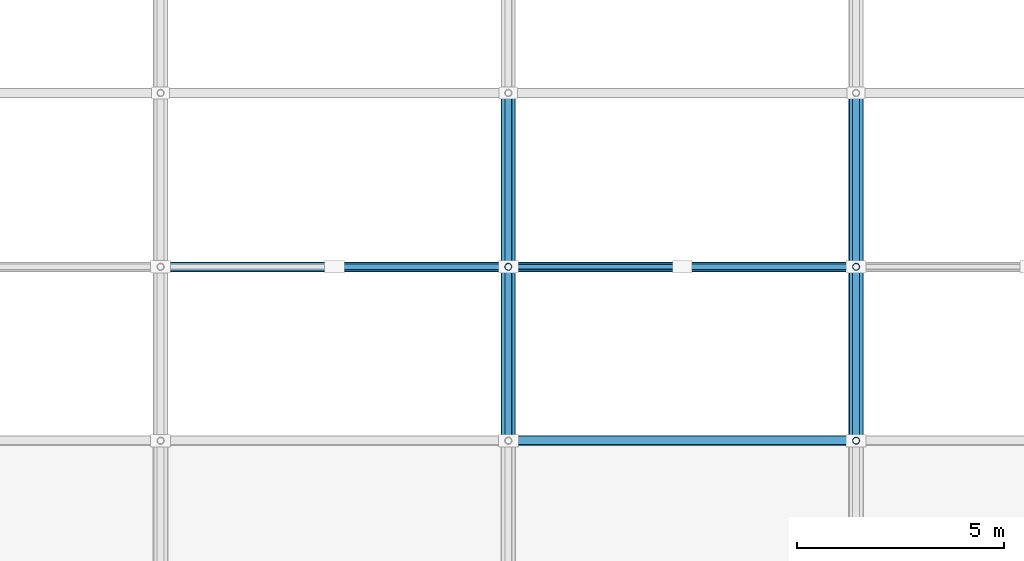
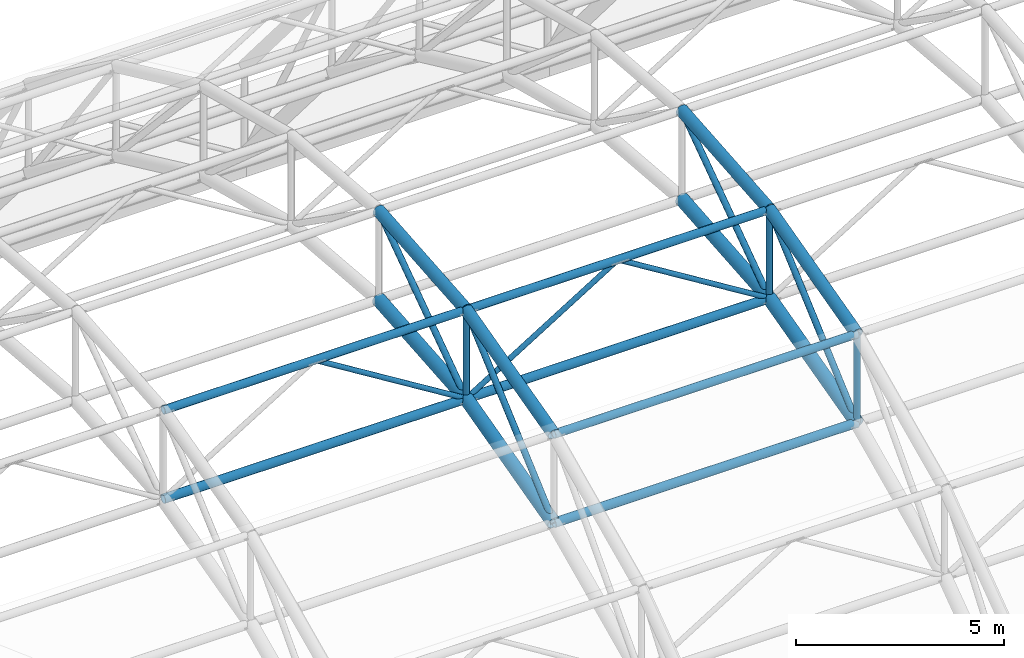
# One storey, part 32 of 103: 16 members, 8 beams.
"""IFC4 building model written with IfcOpenShell, lengths in metres."""

from ifc_helpers import new_model, si_unit, direction, frame, origin, origin_2d, place, context, subcontext, project, spatial, hollow_circle, extrude, material, material_profile, profile_set, type_object, element, save


model = new_model("IFC4")

# Units and contexts
model_context = context("Model", 3, precision=1e-05, world=origin(), true_north=direction((0.0, 1.0)))
body_context = subcontext(model_context, "Body", "Model", "MODEL_VIEW")
ifc_project = project(units=[si_unit("LENGTHUNIT", "METRE"), si_unit("AREAUNIT", "SQUARE_METRE"), si_unit("VOLUMEUNIT", "CUBIC_METRE"), si_unit("PLANEANGLEUNIT", "RADIAN"), si_unit("MASSUNIT", "GRAM", prefix="KILO")], contexts=[model_context])

# Site, building, storey
site_placement = place(None, origin())
site = spatial("IfcSite", under=ifc_project, at=site_placement, CompositionType="ELEMENT")
building_placement = place(site_placement, origin())
building = spatial("IfcBuilding", under=site, at=building_placement, Name="Varnapada Polytechnic", CompositionType="ELEMENT")
storey_placement = place(building_placement, frame((0.0, 0.0, 18.0)))
storey = spatial("IfcBuildingStorey", under=building, at=storey_placement, Name="L04", CompositionType="ELEMENT", Elevation=18.0)

# Members
ifc_material = material(Name="Steel S355", Category="steel")
ifc_material_profile_1 = material_profile(ifc_material, hollow_circle(Radius=0.122314453125, WallThickness=0.008056640625, at=origin_2d()), Name="CHS 244.5x8.0")
ifc_profile_set_1 = profile_set([ifc_material_profile_1], Name="Steel S355")
member_type_1 = type_object("IfcMemberType", Name="Vaulted space frame longitudinal bottom chord SFC-01 (CHS 244.5x8.0)", PredefinedType="CHORD", material=ifc_profile_set_1)
member_1_placement = place(storey_placement, frame((92.39990234375, 100.800048828125, 11.080078125), z_axis=(1.0, 0.0, 0.0), x_axis=(0.0, 1.0, 0.0)))
element("IfcMember", 1, at=member_1_placement, inside=storey, type_object=member_type_1, Name="Vaulted space frame longitudinal bottom chord 6.5", PredefinedType="CHORD", context=body_context, shape_type="SweptSolid", body=[
    extrude(hollow_circle(Radius=0.122314453125, WallThickness=0.008056640625, at=origin_2d()), origin(), (0.0, 0.0, 1.0), 8.400146484375),
])
for number, where, z_axis, x_axis, name in (
    (2, (100.800048828125, 96.60009765625, 9.98193359375), (1.0, 0.0, 0.0), (0.0, 1.0, 0.0), "Vaulted space frame longitudinal bottom chord 7.4"),
    (3, (100.800048828125, 100.800048828125, 11.080078125), (1.0, 0.0, 0.0), (0.0, 1.0, 0.0), "Vaulted space frame longitudinal bottom chord 7.5"),
):
    element("IfcMember", number, at=place(storey_placement, frame(where, z_axis=z_axis, x_axis=x_axis)), inside=storey, type_object=member_type_1, Name=name, PredefinedType="CHORD", context=body_context, shape_type="SweptSolid", body=[
        extrude(hollow_circle(Radius=0.122314453125, WallThickness=0.008056640625, at=origin_2d()), origin(), (0.0, 0.0, 1.0), 8.39990234375),
    ])
ifc_material_profile_2 = material_profile(ifc_material, hollow_circle(Radius=0.109619140625, WallThickness=0.008056640625, at=origin_2d()), Name="CHS 219.1x8.0")
ifc_profile_set_2 = profile_set([ifc_material_profile_2], Name="Steel S355")
member_type_2 = type_object("IfcMemberType", Name="Vaulted space frame longitudinal top chord SFC-02 (CHS 219.1x8.0)", PredefinedType="CHORD", material=ifc_profile_set_2)
member_2_placement = place(storey_placement, frame((92.39990234375, 100.800048828125, 13.679931640625), z_axis=(1.0, 0.0, 0.0), x_axis=(0.0, 1.0, 0.0)))
element("IfcMember", 4, at=member_2_placement, inside=storey, type_object=member_type_2, Name="Vaulted space frame longitudinal top chord 6.5", PredefinedType="CHORD", context=body_context, shape_type="SweptSolid", body=[
    extrude(hollow_circle(Radius=0.109619140625, WallThickness=0.008056640625, at=origin_2d()), origin(), (0.0, 0.0, 1.0), 8.400146484375),
])
for number, where, z_axis, x_axis, name in (
    (5, (100.800048828125, 96.60009765625, 12.581787109375), (1.0, 0.0, 0.0), (0.0, 1.0, 0.0), "Vaulted space frame longitudinal top chord 7.4"),
    (6, (100.800048828125, 100.800048828125, 13.679931640625), (1.0, 0.0, 0.0), (0.0, 1.0, 0.0), "Vaulted space frame longitudinal top chord 7.5"),
):
    element("IfcMember", number, at=place(storey_placement, frame(where, z_axis=z_axis, x_axis=x_axis)), inside=storey, type_object=member_type_2, Name=name, PredefinedType="CHORD", context=body_context, shape_type="SweptSolid", body=[
        extrude(hollow_circle(Radius=0.109619140625, WallThickness=0.008056640625, at=origin_2d()), origin(), (0.0, 0.0, 1.0), 8.39990234375),
    ])

# Beams
ifc_material_profile_3 = material_profile(ifc_material, hollow_circle(Radius=0.177734375, WallThickness=0.012451171875, at=origin_2d()), Name="CHS 355.6x12.5")
ifc_profile_set_3 = profile_set([ifc_material_profile_3], Name="Steel S355")
beam_type_1 = type_object("IfcBeamType", Name="Vaulted space frame primary arch rib VA-01 (CHS 355.6x12.5)", PredefinedType="BEAM", material=ifc_profile_set_3)
beam_1_placement = place(storey_placement, frame((100.800048828125, 96.60009765625, 9.98193359375), z_axis=(0.0, 0.967476176159, 0.252962148484), x_axis=(-1.0, 0.0, 0.0)))
element("IfcBeam", 7, at=beam_1_placement, inside=storey, type_object=beam_type_1, Name="Vaulted space frame bottom arch chord 7.4", PredefinedType="BEAM", context=body_context, shape_type="SweptSolid", body=[
    extrude(hollow_circle(Radius=0.177734375, WallThickness=0.012451171875, at=origin_2d()), origin(), (0.0, 0.0, 1.0), 4.341064453125),
])
beam_2_placement = place(storey_placement, frame((100.800048828125, 100.800048828125, 11.080078125), z_axis=(0.0, 0.99644233396, 0.084277369988), x_axis=(-1.0, 0.0, 0.0)))
element("IfcBeam", 8, at=beam_2_placement, inside=storey, type_object=beam_type_1, Name="Vaulted space frame bottom arch chord 7.5", PredefinedType="BEAM", context=body_context, shape_type="SweptSolid", body=[
    extrude(hollow_circle(Radius=0.177734375, WallThickness=0.012451171875, at=origin_2d()), origin(), (0.0, 0.0, 1.0), 4.21484375),
])
beam_3_placement = place(storey_placement, frame((109.199951171875, 96.60009765625, 9.98193359375), z_axis=(0.0, 0.967476176159, 0.252962148484), x_axis=(-1.0, 0.0, 0.0)))
element("IfcBeam", 9, at=beam_3_placement, inside=storey, type_object=beam_type_1, Name="Vaulted space frame bottom arch chord 8.4", PredefinedType="BEAM", context=body_context, shape_type="SweptSolid", body=[
    extrude(hollow_circle(Radius=0.177734375, WallThickness=0.012451171875, at=origin_2d()), origin(), (0.0, 0.0, 1.0), 4.341064453125),
])
beam_4_placement = place(storey_placement, frame((109.199951171875, 100.800048828125, 11.080078125), z_axis=(0.0, 0.99644233396, 0.084277369988), x_axis=(-1.0, 0.0, 0.0)))
element("IfcBeam", 10, at=beam_4_placement, inside=storey, type_object=beam_type_1, Name="Vaulted space frame bottom arch chord 8.5", PredefinedType="BEAM", context=body_context, shape_type="SweptSolid", body=[
    extrude(hollow_circle(Radius=0.177734375, WallThickness=0.012451171875, at=origin_2d()), origin(), (0.0, 0.0, 1.0), 4.21484375),
])

# Members
ifc_material_profile_4 = material_profile(ifc_material, hollow_circle(Radius=0.084228515625, WallThickness=0.00634765625, at=origin_2d()), Name="CHS 168.3x6.3")
ifc_profile_set_4 = profile_set([ifc_material_profile_4], Name="Steel S355")
member_type_3 = type_object("IfcMemberType", Name="Vaulted space frame primary web diagonal SFB-01 (CHS 168.3x6.3)", PredefinedType="BRACE", material=ifc_profile_set_4)
member_3_placement = place(storey_placement, frame((100.800048828125, 96.60009765625, 9.98193359375), z_axis=(0.0, 0.750532603682, 0.660833421378), x_axis=(-1.0, 0.0, 0.0)))
element("IfcMember", 11, at=member_3_placement, inside=storey, type_object=member_type_3, Name="Vaulted space frame web diagonal 7.4", PredefinedType="BRACE", context=body_context, shape_type="SweptSolid", body=[
    extrude(hollow_circle(Radius=0.084228515625, WallThickness=0.00634765625, at=origin_2d()), origin(), (0.0, 0.0, 1.0), 5.595947265625),
])
member_4_placement = place(storey_placement, frame((100.800048828125, 100.800048828125, 11.080078125), z_axis=(0.0, 0.817824649693, 0.575467498956), x_axis=(-1.0, 0.0, 0.0)))
element("IfcMember", 12, at=member_4_placement, inside=storey, type_object=member_type_3, Name="Vaulted space frame web diagonal 7.5", PredefinedType="BRACE", context=body_context, shape_type="SweptSolid", body=[
    extrude(hollow_circle(Radius=0.084228515625, WallThickness=0.00634765625, at=origin_2d()), origin(), (0.0, 0.0, 1.0), 5.135498046875),
])
member_5_placement = place(storey_placement, frame((109.199951171875, 96.60009765625, 9.98193359375), z_axis=(0.0, 0.750532603682, 0.660833421378), x_axis=(-1.0, 0.0, 0.0)))
element("IfcMember", 13, at=member_5_placement, inside=storey, type_object=member_type_3, Name="Vaulted space frame web diagonal 8.4", PredefinedType="BRACE", context=body_context, shape_type="SweptSolid", body=[
    extrude(hollow_circle(Radius=0.084228515625, WallThickness=0.00634765625, at=origin_2d()), origin(), (0.0, 0.0, 1.0), 5.595947265625),
])
member_6_placement = place(storey_placement, frame((109.199951171875, 100.800048828125, 11.080078125), z_axis=(0.0, 0.817824649693, 0.575467498956), x_axis=(-1.0, 0.0, 0.0)))
element("IfcMember", 14, at=member_6_placement, inside=storey, type_object=member_type_3, Name="Vaulted space frame web diagonal 8.5", PredefinedType="BRACE", context=body_context, shape_type="SweptSolid", body=[
    extrude(hollow_circle(Radius=0.084228515625, WallThickness=0.00634765625, at=origin_2d()), origin(), (0.0, 0.0, 1.0), 5.135498046875),
])
ifc_material_profile_5 = material_profile(ifc_material, hollow_circle(Radius=0.084228515625, WallThickness=0.00634765625, at=origin_2d()), Name="CHS 168.3x6.3")
ifc_profile_set_5 = profile_set([ifc_material_profile_5], Name="Steel S355")
member_type_4 = type_object("IfcMemberType", Name="Vaulted space frame radial web strut SFS-01 (CHS 168.3x6.3)", PredefinedType="STRUT", material=ifc_profile_set_5)
for number, where, z_axis, x_axis, name in (
    (15, (100.800048828125, 100.800048828125, 11.080078125), (0.0, 0.0, 1.0), (1.0, 0.0, 0.0), "Vaulted space frame strut 7.5"),
    (16, (109.199951171875, 96.60009765625, 9.98193359375), (0.0, 0.0, 1.0), (1.0, 0.0, 0.0), "Vaulted space frame strut 8.4"),
    (17, (109.199951171875, 100.800048828125, 11.080078125), (0.0, 0.0, 1.0), (1.0, 0.0, 0.0), "Vaulted space frame strut 8.5"),
):
    element("IfcMember", number, at=place(storey_placement, frame(where, z_axis=z_axis, x_axis=x_axis)), inside=storey, type_object=member_type_4, Name=name, PredefinedType="STRUT", context=body_context, shape_type="SweptSolid", body=[
        extrude(hollow_circle(Radius=0.084228515625, WallThickness=0.00634765625, at=origin_2d()), origin(), (0.0, 0.0, 1.0), 2.599853515625),
    ])
ifc_material_profile_6 = material_profile(ifc_material, hollow_circle(Radius=0.06982421875, WallThickness=0.0048828125, at=origin_2d()), Name="CHS 139.7x5.0")
ifc_profile_set_6 = profile_set([ifc_material_profile_6], Name="Steel S355")
member_type_5 = type_object("IfcMemberType", Name="Vaulted space frame secondary web diagonal SFB-02 (CHS 139.7x5.0)", PredefinedType="BRACE", material=ifc_profile_set_6)
for number, where, z_axis, x_axis, name in (
    (18, (100.800048828125, 100.800048828125, 11.080078125), (-0.85027567993, 0.0, 0.526337598999), (0.0, -1.0, 0.0), "Vaulted space frame longitudinal brace 6.5B"),
    (19, (100.800048828125, 100.800048828125, 11.080078125), (0.85027567993, 0.0, 0.526337598999), (0.0, 1.0, 0.0), "Vaulted space frame longitudinal brace 7.5A"),
    (20, (109.199951171875, 100.800048828125, 11.080078125), (-0.85027567993, 0.0, 0.526337598999), (0.0, -1.0, 0.0), "Vaulted space frame longitudinal brace 7.5B"),
):
    element("IfcMember", number, at=place(storey_placement, frame(where, z_axis=z_axis, x_axis=x_axis)), inside=storey, type_object=member_type_5, Name=name, PredefinedType="BRACE", context=body_context, shape_type="SweptSolid", body=[
        extrude(hollow_circle(Radius=0.06982421875, WallThickness=0.0048828125, at=origin_2d()), origin(), (0.0, 0.0, 1.0), 4.939453125),
    ])

# Beams
ifc_material_profile_7 = material_profile(ifc_material, hollow_circle(Radius=0.161865234375, WallThickness=0.010009765625, at=origin_2d()), Name="CHS 323.9x10.0")
ifc_profile_set_7 = profile_set([ifc_material_profile_7], Name="Steel S355")
beam_type_2 = type_object("IfcBeamType", Name="Vaulted space frame upper arch rib VA-02 (CHS 323.9x10.0)", PredefinedType="BEAM", material=ifc_profile_set_7)
beam_5_placement = place(storey_placement, frame((100.800048828125, 96.60009765625, 12.581787109375), z_axis=(0.0, 0.967476176159, 0.252962148484), x_axis=(-1.0, 0.0, 0.0)))
element("IfcBeam", 21, at=beam_5_placement, inside=storey, type_object=beam_type_2, Name="Vaulted space frame top arch chord 7.4", PredefinedType="BEAM", context=body_context, shape_type="SweptSolid", body=[
    extrude(hollow_circle(Radius=0.161865234375, WallThickness=0.010009765625, at=origin_2d()), origin(), (0.0, 0.0, 1.0), 4.341064453125),
])
beam_6_placement = place(storey_placement, frame((100.800048828125, 100.800048828125, 13.679931640625), z_axis=(0.0, 0.996437468128, 0.084334880753), x_axis=(-1.0, 0.0, 0.0)))
element("IfcBeam", 22, at=beam_6_placement, inside=storey, type_object=beam_type_2, Name="Vaulted space frame top arch chord 7.5", PredefinedType="BEAM", context=body_context, shape_type="SweptSolid", body=[
    extrude(hollow_circle(Radius=0.161865234375, WallThickness=0.010009765625, at=origin_2d()), origin(), (0.0, 0.0, 1.0), 4.215087890625),
])
beam_7_placement = place(storey_placement, frame((109.199951171875, 96.60009765625, 12.581787109375), z_axis=(0.0, 0.967476176159, 0.252962148484), x_axis=(-1.0, 0.0, 0.0)))
element("IfcBeam", 23, at=beam_7_placement, inside=storey, type_object=beam_type_2, Name="Vaulted space frame top arch chord 8.4", PredefinedType="BEAM", context=body_context, shape_type="SweptSolid", body=[
    extrude(hollow_circle(Radius=0.161865234375, WallThickness=0.010009765625, at=origin_2d()), origin(), (0.0, 0.0, 1.0), 4.341064453125),
])
beam_8_placement = place(storey_placement, frame((109.199951171875, 100.800048828125, 13.679931640625), z_axis=(0.0, 0.996437468128, 0.084334880753), x_axis=(-1.0, 0.0, 0.0)))
element("IfcBeam", 24, at=beam_8_placement, inside=storey, type_object=beam_type_2, Name="Vaulted space frame top arch chord 8.5", PredefinedType="BEAM", context=body_context, shape_type="SweptSolid", body=[
    extrude(hollow_circle(Radius=0.161865234375, WallThickness=0.010009765625, at=origin_2d()), origin(), (0.0, 0.0, 1.0), 4.215087890625),
])

save(model, "model.ifc")
